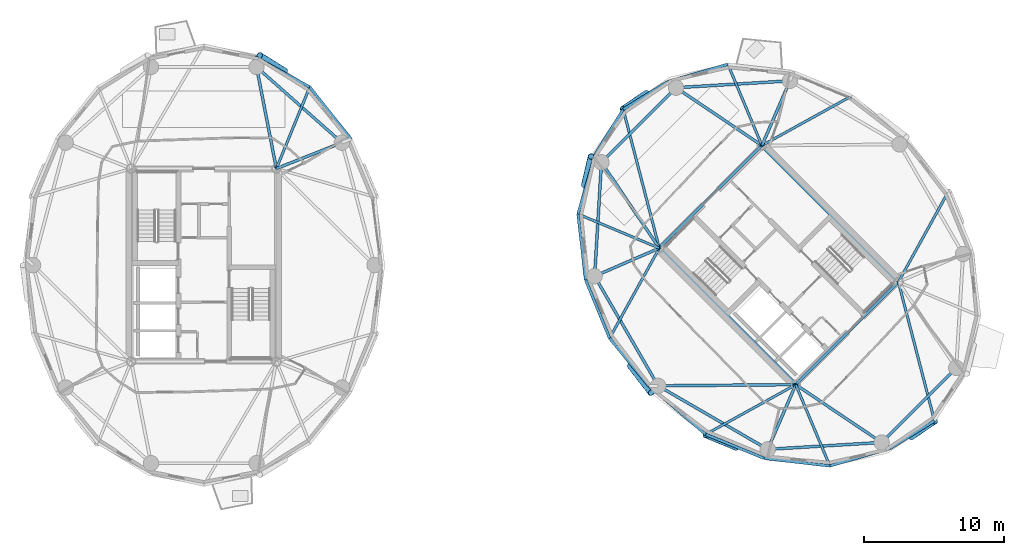
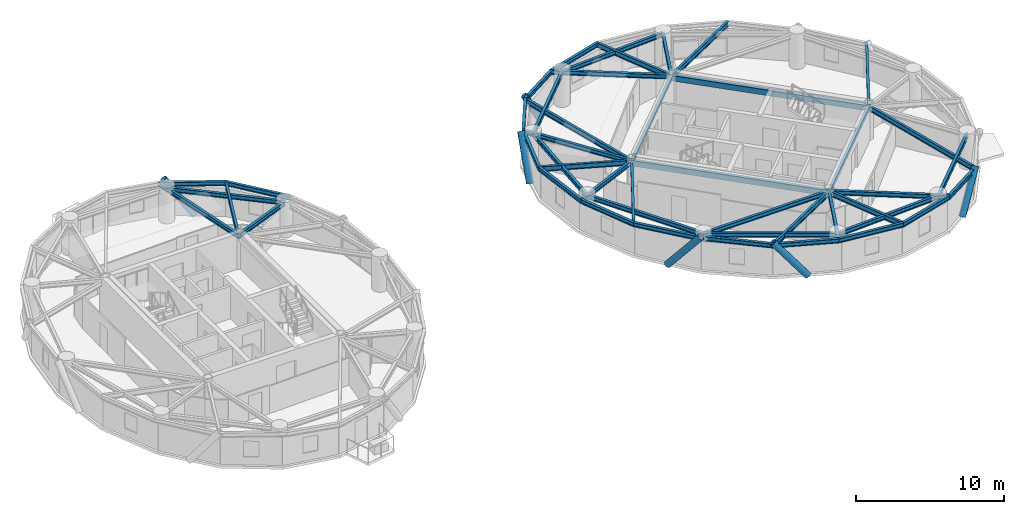
# One storey, part 4 of 15: 45 beams, 6 members.
"""IFC4 building model written with IfcOpenShell, lengths in metres."""

from ifc_helpers import new_model, si_unit, direction, frame, origin, origin_2d, place, context, subcontext, project, spatial, hollow_rectangle, hollow_circle, i_section, extrude, material, material_profile, profile_set, type_object, element, save


model = new_model("IFC4")

# Units and contexts
model_context = context("Model", 3, precision=1e-05, world=origin(), true_north=direction((0.0, 1.0)))
body_context = subcontext(model_context, "Body", "Model", "MODEL_VIEW")
ifc_project = project(units=[si_unit("LENGTHUNIT", "METRE"), si_unit("AREAUNIT", "SQUARE_METRE"), si_unit("VOLUMEUNIT", "CUBIC_METRE"), si_unit("PLANEANGLEUNIT", "RADIAN"), si_unit("MASSUNIT", "GRAM", prefix="KILO")], contexts=[model_context])

# Site, building, storey
site_placement = place(None, origin())
site = spatial("IfcSite", under=ifc_project, at=site_placement, CompositionType="ELEMENT")
building_placement = place(site_placement, origin())
building = spatial("IfcBuilding", under=site, at=building_placement, Name="Cununo Teusaquillo Station Towers", CompositionType="ELEMENT")
storey_placement = place(building_placement, frame((0.0, 0.0, 199.570068359375)))
storey = spatial("IfcBuildingStorey", under=building, at=storey_placement, Name="L63", CompositionType="ELEMENT", Elevation=199.570068359375)

# Beams
ifc_material_1 = material(Name="Steel EN 10025-2 S355J2", Category="steel")
ifc_material_profile_1 = material_profile(ifc_material_1, hollow_rectangle(XDim=0.25, YDim=0.449951171875, WallThickness=0.01611328125, at=origin_2d()), Name="RHS 450x250x16")
ifc_profile_set_1 = profile_set([ifc_material_profile_1], Name="Steel EN 10025-2 S355J2")
beam_type_1 = type_object("IfcBeamType", Name="BM-COUP-1", PredefinedType="USERDEFINED", material=ifc_profile_set_1)
for number, where, z_axis, x_axis, name in (
    (1, (58.70556640625, 15.975830078125, 2.474853515625), (-0.707106781187, 0.707106781187, 0.0), (-0.707106781187, -0.707106781187, 0.0), "L63 Tower B Core Beam 1"),
    (2, (66.024169921875, 23.29443359375, 2.474853515625), (-0.707106781187, 0.707106781187, 0.0), (-0.707106781187, -0.707106781187, 0.0), "L63 Tower B Core Beam 2"),
):
    element("IfcBeam", number, at=place(storey_placement, frame(where, z_axis=z_axis, x_axis=x_axis)), inside=storey, type_object=beam_type_1, Name=name, ObjectType="COUPLING BEAM", PredefinedType="USERDEFINED", context=body_context, shape_type="SweptSolid", body=[
        extrude(hollow_rectangle(XDim=0.25, YDim=0.449951171875, WallThickness=0.01611328125, at=origin_2d()), origin(), (0.0, 0.0, 1.0), 13.760009765625),
    ])
ifc_material_2 = material(Name="Steel ASTM A572 Grade 50", Category="steel")
ifc_material_profile_2 = material_profile(ifc_material_2, i_section(OverallWidth=0.180908203125, OverallDepth=0.4169921875, WebThickness=0.010986328125, FlangeThickness=0.018310546875, FilletRadius=0.012939453125, at=origin_2d()), Name="W16X57")
ifc_profile_set_2 = profile_set([ifc_material_profile_2], Name="Steel ASTM A572 Grade 50")
beam_type_2 = type_object("IfcBeamType", Name="BM-JOIST-1", PredefinedType="JOIST", material=ifc_profile_set_2)
beam_1_placement = place(storey_placement, frame((21.675048828125, 31.3798828125, 2.491455078125), z_axis=(0.378576847217, 0.925569862707, 0.0), x_axis=(-0.925569862707, 0.378576847217, 0.0)))
element("IfcBeam", 3, at=beam_1_placement, inside=storey, type_object=beam_type_2, Name="L63 Tower A Radial Spandrel Joist V03", PredefinedType="JOIST", context=body_context, shape_type="SweptSolid", body=[
    extrude(i_section(OverallWidth=0.180908203125, OverallDepth=0.4169921875, WebThickness=0.010986328125, FlangeThickness=0.018310546875, FilletRadius=0.012939453125, at=origin_2d()), origin(), (0.0, 0.0, 1.0), 6.28125),
])
beam_2_placement = place(storey_placement, frame((56.29443359375, 33.024169921875, 2.491455078125), z_axis=(0.8753153358, 0.483552544108, 0.0), x_axis=(-0.483552544108, 0.8753153358, 0.0)))
element("IfcBeam", 4, at=beam_2_placement, inside=storey, type_object=beam_type_2, Name="L63 Tower B Radial Spandrel Joist V01", PredefinedType="JOIST", context=body_context, shape_type="SweptSolid", body=[
    extrude(i_section(OverallWidth=0.180908203125, OverallDepth=0.4169921875, WebThickness=0.010986328125, FlangeThickness=0.018310546875, FilletRadius=0.012939453125, at=origin_2d()), origin(), (0.0, 0.0, 1.0), 7.3330078125),
])
beam_3_placement = place(storey_placement, frame((56.29443359375, 33.024169921875, 2.491455078125), z_axis=(-0.386786389381, 0.922169338565, 0.0), x_axis=(-0.922169338565, -0.386786389381, 0.0)))
element("IfcBeam", 5, at=beam_3_placement, inside=storey, type_object=beam_type_2, Name="L63 Tower B Radial Spandrel Joist V03", PredefinedType="JOIST", context=body_context, shape_type="SweptSolid", body=[
    extrude(i_section(OverallWidth=0.180908203125, OverallDepth=0.4169921875, WebThickness=0.010986328125, FlangeThickness=0.018310546875, FilletRadius=0.012939453125, at=origin_2d()), origin(), (0.0, 0.0, 1.0), 6.281005859375),
])
beam_4_placement = place(storey_placement, frame((48.975830078125, 25.70556640625, 2.491455078125), z_axis=(-0.251559992432, 0.967841707206, 0.0), x_axis=(-0.967841707206, -0.251559992432, 0.0)))
element("IfcBeam", 6, at=beam_4_placement, inside=storey, type_object=beam_type_2, Name="L63 Tower B Radial Spandrel Joist V05", PredefinedType="JOIST", context=body_context, shape_type="SweptSolid", body=[
    extrude(i_section(OverallWidth=0.180908203125, OverallDepth=0.4169921875, WebThickness=0.010986328125, FlangeThickness=0.018310546875, FilletRadius=0.012939453125, at=origin_2d()), origin(), (0.0, 0.0, 1.0), 10.217529296875),
])
beam_5_placement = place(storey_placement, frame((48.975830078125, 25.70556640625, 2.491455078125), z_axis=(-0.922169338565, 0.386786389381, 0.0), x_axis=(-0.386786389381, -0.922169338565, 0.0)))
element("IfcBeam", 7, at=beam_5_placement, inside=storey, type_object=beam_type_2, Name="L63 Tower B Radial Spandrel Joist V07", PredefinedType="JOIST", context=body_context, shape_type="SweptSolid", body=[
    extrude(i_section(OverallWidth=0.180908203125, OverallDepth=0.4169921875, WebThickness=0.010986328125, FlangeThickness=0.018310546875, FilletRadius=0.012939453125, at=origin_2d()), origin(), (0.0, 0.0, 1.0), 6.281005859375),
])
for number, where, z_axis, x_axis, name in (
    (8, (48.975830078125, 25.70556640625, 2.491455078125), (-0.483552544108, -0.8753153358, 0.0), (0.8753153358, -0.483552544108, 0.0), "L63 Tower B Radial Spandrel Joist V09"),
    (9, (58.70556640625, 15.975830078125, 2.491455078125), (-0.8753153358, -0.483552544108, 0.0), (0.483552544108, -0.8753153358, 0.0), "L63 Tower B Radial Spandrel Joist V11"),
):
    element("IfcBeam", number, at=place(storey_placement, frame(where, z_axis=z_axis, x_axis=x_axis)), inside=storey, type_object=beam_type_2, Name=name, PredefinedType="JOIST", context=body_context, shape_type="SweptSolid", body=[
        extrude(i_section(OverallWidth=0.180908203125, OverallDepth=0.4169921875, WebThickness=0.010986328125, FlangeThickness=0.018310546875, FilletRadius=0.012939453125, at=origin_2d()), origin(), (0.0, 0.0, 1.0), 7.3330078125),
    ])
beam_6_placement = place(storey_placement, frame((58.70556640625, 15.975830078125, 2.491455078125), z_axis=(0.386786389381, -0.922169338565, 0.0), x_axis=(0.922169338565, 0.386786389381, 0.0)))
element("IfcBeam", 10, at=beam_6_placement, inside=storey, type_object=beam_type_2, Name="L63 Tower B Radial Spandrel Joist V13", PredefinedType="JOIST", context=body_context, shape_type="SweptSolid", body=[
    extrude(i_section(OverallWidth=0.180908203125, OverallDepth=0.4169921875, WebThickness=0.010986328125, FlangeThickness=0.018310546875, FilletRadius=0.012939453125, at=origin_2d()), origin(), (0.0, 0.0, 1.0), 6.281005859375),
])
beam_7_placement = place(storey_placement, frame((66.024169921875, 23.29443359375, 2.491455078125), z_axis=(0.251559992432, -0.967841707206, 0.0), x_axis=(0.967841707206, 0.251559992432, 0.0)))
element("IfcBeam", 11, at=beam_7_placement, inside=storey, type_object=beam_type_2, Name="L63 Tower B Radial Spandrel Joist V15", PredefinedType="JOIST", context=body_context, shape_type="SweptSolid", body=[
    extrude(i_section(OverallWidth=0.180908203125, OverallDepth=0.4169921875, WebThickness=0.010986328125, FlangeThickness=0.018310546875, FilletRadius=0.012939453125, at=origin_2d()), origin(), (0.0, 0.0, 1.0), 10.217529296875),
])
beam_8_placement = place(storey_placement, frame((66.024169921875, 23.29443359375, 2.491455078125), z_axis=(0.483552544108, 0.8753153358, 0.0), x_axis=(-0.8753153358, 0.483552544108, 0.0)))
element("IfcBeam", 12, at=beam_8_placement, inside=storey, type_object=beam_type_2, Name="L63 Tower B Radial Spandrel Joist V19", PredefinedType="JOIST", context=body_context, shape_type="SweptSolid", body=[
    extrude(i_section(OverallWidth=0.180908203125, OverallDepth=0.4169921875, WebThickness=0.010986328125, FlangeThickness=0.018310546875, FilletRadius=0.012939453125, at=origin_2d()), origin(), (0.0, 0.0, 1.0), 7.3330078125),
])
ifc_material_3 = material(Name="Steel ASTM A572 Grade 50", Category="steel")
ifc_material_profile_3 = material_profile(ifc_material_3, i_section(OverallWidth=0.2041015625, OverallDepth=0.35009765625, WebThickness=0.008544921875, FlangeThickness=0.01513671875, FilletRadius=0.011962890625, at=origin_2d()), Name="W14X48")
ifc_profile_set_3 = profile_set([ifc_material_profile_3], Name="Steel ASTM A572 Grade 50")
beam_type_3 = type_object("IfcBeamType", Name="BM-LINTEL-1", PredefinedType="LINTEL", material=ifc_profile_set_3)
for number, where, z_axis, x_axis, name in (
    (13, (58.70556640625, 15.975830078125, 2.52490234375), (0.707106781187, 0.707106781187, 0.0), (-0.707106781187, 0.707106781187, 0.0), "L63 Tower B Core Beam 3"),
    (14, (48.975830078125, 25.70556640625, 2.52490234375), (0.707106781187, 0.707106781187, 0.0), (-0.707106781187, 0.707106781187, 0.0), "L63 Tower B Core Beam 4"),
):
    element("IfcBeam", number, at=place(storey_placement, frame(where, z_axis=z_axis, x_axis=x_axis)), inside=storey, type_object=beam_type_3, Name=name, PredefinedType="LINTEL", context=body_context, shape_type="SweptSolid", body=[
        extrude(i_section(OverallWidth=0.2041015625, OverallDepth=0.35009765625, WebThickness=0.008544921875, FlangeThickness=0.01513671875, FilletRadius=0.011962890625, at=origin_2d()), origin(), (0.0, 0.0, 1.0), 10.35009765625),
    ])
ifc_material_4 = material(Name="Steel ASTM A572 Grade 50", Category="steel")
ifc_material_profile_4 = material_profile(ifc_material_4, i_section(OverallWidth=0.2041015625, OverallDepth=0.35009765625, WebThickness=0.008544921875, FlangeThickness=0.01513671875, FilletRadius=0.011962890625, at=origin_2d()), Name="W14X48")
ifc_profile_set_4 = profile_set([ifc_material_profile_4], Name="Steel ASTM A572 Grade 50")
beam_type_4 = type_object("IfcBeamType", Name="BM-RAD-G3", PredefinedType="BEAM", material=ifc_profile_set_4)
beam_9_placement = place(storey_placement, frame((21.675048828125, 31.3798828125, 2.52490234375), z_axis=(0.929864104313, 0.367903176814, 0.0), x_axis=(-0.367903176814, 0.929864104313, 0.0)))
element("IfcBeam", 15, at=beam_9_placement, inside=storey, type_object=beam_type_4, Name="L63 Tower A Radial Girder 02A", PredefinedType="BEAM", context=body_context, shape_type="SweptSolid", body=[
    extrude(i_section(OverallWidth=0.2041015625, OverallDepth=0.35009765625, WebThickness=0.008544921875, FlangeThickness=0.01513671875, FilletRadius=0.011962890625, at=origin_2d()), origin(), (0.0, 0.0, 1.0), 5.02490234375),
])
beam_10_placement = place(storey_placement, frame((21.675048828125, 31.3798828125, 2.52490234375), z_axis=(-0.191548487699, 0.981483151593, 0.0), x_axis=(-0.981483151593, -0.191548487699, 0.0)))
element("IfcBeam", 16, at=beam_10_placement, inside=storey, type_object=beam_type_4, Name="L63 Tower A Continuous Overhanging Radial Girder 03", PredefinedType="BEAM", context=body_context, shape_type="SweptSolid", body=[
    extrude(i_section(OverallWidth=0.2041015625, OverallDepth=0.35009765625, WebThickness=0.008544921875, FlangeThickness=0.01513671875, FilletRadius=0.011962890625, at=origin_2d()), origin(), (0.0, 0.0, 1.0), 8.1240234375),
])
beam_11_placement = place(storey_placement, frame((56.29443359375, 33.024169921875, 2.52490234375), z_axis=(0.397346986387, 0.917668443616, 0.0), x_axis=(-0.917668443616, 0.397346986387, 0.0)))
element("IfcBeam", 17, at=beam_11_placement, inside=storey, type_object=beam_type_4, Name="L63 Tower B Radial Girder 02A", PredefinedType="BEAM", context=body_context, shape_type="SweptSolid", body=[
    extrude(i_section(OverallWidth=0.2041015625, OverallDepth=0.35009765625, WebThickness=0.008544921875, FlangeThickness=0.01513671875, FilletRadius=0.011962890625, at=origin_2d()), origin(), (0.0, 0.0, 1.0), 5.02490234375),
])
for number, where, z_axis, x_axis, name in (
    (18, (56.29443359375, 33.024169921875, 2.52490234375), (-0.829456817529, 0.558570844079, 0.0), (-0.558570844079, -0.829456817529, 0.0), "L63 Tower B Continuous Overhanging Radial Girder 03"),
    (19, (48.975830078125, 25.70556640625, 2.52490234375), (-0.558570844079, 0.829456817529, 0.0), (-0.829456817529, -0.558570844079, 0.0), "L63 Tower B Continuous Overhanging Radial Girder 04"),
):
    element("IfcBeam", number, at=place(storey_placement, frame(where, z_axis=z_axis, x_axis=x_axis)), inside=storey, type_object=beam_type_4, Name=name, PredefinedType="BEAM", context=body_context, shape_type="SweptSolid", body=[
        extrude(i_section(OverallWidth=0.2041015625, OverallDepth=0.35009765625, WebThickness=0.008544921875, FlangeThickness=0.01513671875, FilletRadius=0.011962890625, at=origin_2d()), origin(), (0.0, 0.0, 1.0), 8.1240234375),
    ])
beam_12_placement = place(storey_placement, frame((48.975830078125, 25.70556640625, 2.52490234375), z_axis=(-0.917665176837, -0.397354530893, 0.0), x_axis=(0.397354530893, -0.917665176837, 0.0)))
element("IfcBeam", 20, at=beam_12_placement, inside=storey, type_object=beam_type_4, Name="L63 Tower B Continuous Overhanging Radial Girder 05", PredefinedType="BEAM", context=body_context, shape_type="SweptSolid", body=[
    extrude(i_section(OverallWidth=0.2041015625, OverallDepth=0.35009765625, WebThickness=0.008544921875, FlangeThickness=0.01513671875, FilletRadius=0.011962890625, at=origin_2d()), origin(), (0.0, 0.0, 1.0), 5.716552734375),
])
beam_13_placement = place(storey_placement, frame((58.70556640625, 15.975830078125, 2.52490234375), z_axis=(-0.999964431382, -0.008434214327, 0.0), x_axis=(0.008434214327, -0.999964431382, 0.0)))
element("IfcBeam", 21, at=beam_13_placement, inside=storey, type_object=beam_type_4, Name="L63 Tower B Radial Girder 06A", PredefinedType="BEAM", context=body_context, shape_type="SweptSolid", body=[
    extrude(i_section(OverallWidth=0.2041015625, OverallDepth=0.35009765625, WebThickness=0.008544921875, FlangeThickness=0.01513671875, FilletRadius=0.011962890625, at=origin_2d()), origin(), (0.0, 0.0, 1.0), 9.812744140625),
])
beam_14_placement = place(storey_placement, frame((58.70556640625, 15.975830078125, 2.52490234375), z_axis=(-0.397354530893, -0.917665176837, 0.0), x_axis=(0.917665176837, -0.397354530893, 0.0)))
element("IfcBeam", 22, at=beam_14_placement, inside=storey, type_object=beam_type_4, Name="L63 Tower B Continuous Overhanging Radial Girder 07", PredefinedType="BEAM", context=body_context, shape_type="SweptSolid", body=[
    extrude(i_section(OverallWidth=0.2041015625, OverallDepth=0.35009765625, WebThickness=0.008544921875, FlangeThickness=0.01513671875, FilletRadius=0.011962890625, at=origin_2d()), origin(), (0.0, 0.0, 1.0), 5.716552734375),
])
beam_15_placement = place(storey_placement, frame((58.70556640625, 15.975830078125, 2.52490234375), z_axis=(0.829456817529, -0.558570844079, 0.0), x_axis=(0.558570844079, 0.829456817529, 0.0)))
element("IfcBeam", 23, at=beam_15_placement, inside=storey, type_object=beam_type_4, Name="L63 Tower B Continuous Overhanging Radial Girder 08", PredefinedType="BEAM", context=body_context, shape_type="SweptSolid", body=[
    extrude(i_section(OverallWidth=0.2041015625, OverallDepth=0.35009765625, WebThickness=0.008544921875, FlangeThickness=0.01513671875, FilletRadius=0.011962890625, at=origin_2d()), origin(), (0.0, 0.0, 1.0), 8.1240234375),
])
ifc_material_5 = material(Name="Steel ASTM A572 Grade 50", Category="steel")
ifc_material_profile_5 = material_profile(ifc_material_5, i_section(OverallWidth=0.2041015625, OverallDepth=0.35009765625, WebThickness=0.008544921875, FlangeThickness=0.01513671875, FilletRadius=0.011962890625, at=origin_2d()), Name="W14X48")
ifc_profile_set_5 = profile_set([ifc_material_profile_5], Name="Steel ASTM A572 Grade 50")
beam_type_5 = type_object("IfcBeamType", Name="BM-RING-Z4", PredefinedType="SPANDREL", material=ifc_profile_set_5)
beam_16_placement = place(storey_placement, frame((26.347412109375, 33.228515625, 2.52490234375), z_axis=(-0.74832120039, 0.66333655187, 0.0), x_axis=(-0.66333655187, -0.74832120039, 0.0)))
element("IfcBeam", 24, at=beam_16_placement, inside=storey, type_object=beam_type_5, Name="L63 Tower A Structural Column Ring Girder 02", PredefinedType="SPANDREL", context=body_context, shape_type="SweptSolid", body=[
    extrude(i_section(OverallWidth=0.2041015625, OverallDepth=0.35009765625, WebThickness=0.008544921875, FlangeThickness=0.01513671875, FilletRadius=0.011962890625, at=origin_2d()), origin(), (0.0, 0.0, 1.0), 8.1328125),
])
beam_17_placement = place(storey_placement, frame((26.990478515625, 33.483154296875, 2.52490234375), z_axis=(-0.620710872531, 0.784039547932, 0.0), x_axis=(-0.784039547932, -0.620710872531, 0.0)))
element("IfcBeam", 25, at=beam_17_placement, inside=storey, type_object=beam_type_5, Name="L63 Tower A Spandrel Ring Beam 03", PredefinedType="SPANDREL", context=body_context, shape_type="SweptSolid", body=[
    extrude(i_section(OverallWidth=0.2041015625, OverallDepth=0.35009765625, WebThickness=0.008544921875, FlangeThickness=0.01513671875, FilletRadius=0.011962890625, at=origin_2d()), origin(), (0.0, 0.0, 1.0), 4.732421875),
])
beam_18_placement = place(storey_placement, frame((24.052978515625, 37.193603515625, 2.52490234375), z_axis=(-0.876576300909, 0.481262910149, 0.0), x_axis=(-0.481262910149, -0.876576300909, 0.0)))
element("IfcBeam", 26, at=beam_18_placement, inside=storey, type_object=beam_type_5, Name="L63 Tower A Spandrel Ring Beam 04", PredefinedType="SPANDREL", context=body_context, shape_type="SweptSolid", body=[
    extrude(i_section(OverallWidth=0.2041015625, OverallDepth=0.35009765625, WebThickness=0.008544921875, FlangeThickness=0.01513671875, FilletRadius=0.011962890625, at=origin_2d()), origin(), (0.0, 0.0, 1.0), 4.488037109375),
])
beam_19_placement = place(storey_placement, frame((58.291015625, 37.63525390625, 2.52490234375), z_axis=(-0.998190567048, -0.06012979176, 0.0), x_axis=(0.06012979176, -0.998190567048, 0.0)))
element("IfcBeam", 27, at=beam_19_placement, inside=storey, type_object=beam_type_5, Name="L63 Tower B Structural Column Ring Girder 02", PredefinedType="SPANDREL", context=body_context, shape_type="SweptSolid", body=[
    extrude(i_section(OverallWidth=0.2041015625, OverallDepth=0.35009765625, WebThickness=0.008544921875, FlangeThickness=0.01513671875, FilletRadius=0.011962890625, at=origin_2d()), origin(), (0.0, 0.0, 1.0), 8.132568359375),
])
beam_20_placement = place(storey_placement, frame((50.173095703125, 37.146240234375, 2.52490234375), z_axis=(-0.707106781187, -0.707106781187, 0.0), x_axis=(0.707106781187, -0.707106781187, 0.0)))
element("IfcBeam", 28, at=beam_20_placement, inside=storey, type_object=beam_type_5, Name="L63 Tower B Structural Column Ring Girder 03", PredefinedType="SPANDREL", context=body_context, shape_type="SweptSolid", body=[
    extrude(i_section(OverallWidth=0.2041015625, OverallDepth=0.35009765625, WebThickness=0.008544921875, FlangeThickness=0.01513671875, FilletRadius=0.011962890625, at=origin_2d()), origin(), (0.0, 0.0, 1.0), 7.522705078125),
])
beam_21_placement = place(storey_placement, frame((44.853759765625, 31.826904296875, 2.52490234375), z_axis=(-0.06012979176, -0.998190567048, 0.0), x_axis=(0.998190567048, -0.06012979176, 0.0)))
element("IfcBeam", 29, at=beam_21_placement, inside=storey, type_object=beam_type_5, Name="L63 Tower B Structural Column Ring Girder 04", PredefinedType="SPANDREL", context=body_context, shape_type="SweptSolid", body=[
    extrude(i_section(OverallWidth=0.2041015625, OverallDepth=0.35009765625, WebThickness=0.008544921875, FlangeThickness=0.01513671875, FilletRadius=0.011962890625, at=origin_2d()), origin(), (0.0, 0.0, 1.0), 8.132568359375),
])
for number, where, z_axis, x_axis, name in (
    (30, (44.36474609375, 23.708984375, 2.52490234375), (0.501311121078, -0.865267103202, 0.0), (0.865267103202, 0.501311121078, 0.0), "L63 Tower B Structural Column Ring Girder 05"),
    (31, (48.89306640625, 15.89306640625, 2.52490234375), (0.865267103202, -0.501311121078, 0.0), (0.501311121078, 0.865267103202, 0.0), "L63 Tower B Structural Column Ring Girder 06"),
):
    element("IfcBeam", number, at=place(storey_placement, frame(where, z_axis=z_axis, x_axis=x_axis)), inside=storey, type_object=beam_type_5, Name=name, PredefinedType="SPANDREL", context=body_context, shape_type="SweptSolid", body=[
        extrude(i_section(OverallWidth=0.2041015625, OverallDepth=0.35009765625, WebThickness=0.008544921875, FlangeThickness=0.01513671875, FilletRadius=0.011962890625, at=origin_2d()), origin(), (0.0, 0.0, 1.0), 9.032958984375),
    ])
beam_22_placement = place(storey_placement, frame((56.708984375, 11.36474609375, 2.52490234375), z_axis=(0.998190567048, 0.06012979176, 0.0), x_axis=(-0.06012979176, 0.998190567048, 0.0)))
element("IfcBeam", 32, at=beam_22_placement, inside=storey, type_object=beam_type_5, Name="L63 Tower B Structural Column Ring Girder 07", PredefinedType="SPANDREL", context=body_context, shape_type="SweptSolid", body=[
    extrude(i_section(OverallWidth=0.2041015625, OverallDepth=0.35009765625, WebThickness=0.008544921875, FlangeThickness=0.01513671875, FilletRadius=0.011962890625, at=origin_2d()), origin(), (0.0, 0.0, 1.0), 8.132568359375),
])
beam_23_placement = place(storey_placement, frame((64.826904296875, 11.853759765625, 2.52490234375), z_axis=(0.707106781187, 0.707106781187, 0.0), x_axis=(-0.707106781187, 0.707106781187, 0.0)))
element("IfcBeam", 33, at=beam_23_placement, inside=storey, type_object=beam_type_5, Name="L63 Tower B Structural Column Ring Girder 08", PredefinedType="SPANDREL", context=body_context, shape_type="SweptSolid", body=[
    extrude(i_section(OverallWidth=0.2041015625, OverallDepth=0.35009765625, WebThickness=0.008544921875, FlangeThickness=0.01513671875, FilletRadius=0.011962890625, at=origin_2d()), origin(), (0.0, 0.0, 1.0), 7.522705078125),
])
beam_24_placement = place(storey_placement, frame((53.864990234375, 38.81640625, 2.52490234375), z_axis=(-0.96014487762, -0.279502797802, 0.0), x_axis=(0.279502797802, -0.96014487762, 0.0)))
element("IfcBeam", 34, at=beam_24_placement, inside=storey, type_object=beam_type_5, Name="L63 Tower B Spandrel Ring Beam 04", PredefinedType="SPANDREL", context=body_context, shape_type="SweptSolid", body=[
    extrude(i_section(OverallWidth=0.2041015625, OverallDepth=0.35009765625, WebThickness=0.008544921875, FlangeThickness=0.01513671875, FilletRadius=0.011962890625, at=origin_2d()), origin(), (0.0, 0.0, 1.0), 4.488037109375),
])
for number, where, z_axis, x_axis, name in (
    (35, (49.555908203125, 37.56201171875, 2.52490234375), (-0.848175505099, -0.529715312739, 0.0), (0.529715312739, -0.848175505099, 0.0), "L63 Tower B Spandrel Ring Beam 05"),
    (36, (46.405517578125, 35.594482421875, 2.52490234375), (-0.529715312739, -0.848175505099, 0.0), (0.848175505099, -0.529715312739, 0.0), "L63 Tower B Spandrel Ring Beam 06"),
):
    element("IfcBeam", number, at=place(storey_placement, frame(where, z_axis=z_axis, x_axis=x_axis)), inside=storey, type_object=beam_type_5, Name=name, PredefinedType="SPANDREL", context=body_context, shape_type="SweptSolid", body=[
        extrude(i_section(OverallWidth=0.2041015625, OverallDepth=0.35009765625, WebThickness=0.008544921875, FlangeThickness=0.01513671875, FilletRadius=0.011962890625, at=origin_2d()), origin(), (0.0, 0.0, 1.0), 3.71435546875),
    ])
beam_25_placement = place(storey_placement, frame((44.43798828125, 32.444091796875, 2.52490234375), z_axis=(-0.279502797802, -0.96014487762, 0.0), x_axis=(0.96014487762, -0.279502797802, 0.0)))
element("IfcBeam", 37, at=beam_25_placement, inside=storey, type_object=beam_type_5, Name="L63 Tower B Spandrel Ring Beam 07", PredefinedType="SPANDREL", context=body_context, shape_type="SweptSolid", body=[
    extrude(i_section(OverallWidth=0.2041015625, OverallDepth=0.35009765625, WebThickness=0.008544921875, FlangeThickness=0.01513671875, FilletRadius=0.011962890625, at=origin_2d()), origin(), (0.0, 0.0, 1.0), 4.488037109375),
])
beam_26_placement = place(storey_placement, frame((43.18359375, 28.135009765625, 2.52490234375), z_axis=(0.115452326356, -0.993313022334, 0.0), x_axis=(0.993313022334, 0.115452326356, 0.0)))
element("IfcBeam", 38, at=beam_26_placement, inside=storey, type_object=beam_type_5, Name="L63 Tower B Spandrel Ring Beam 08", PredefinedType="SPANDREL", context=body_context, shape_type="SweptSolid", body=[
    extrude(i_section(OverallWidth=0.2041015625, OverallDepth=0.35009765625, WebThickness=0.008544921875, FlangeThickness=0.01513671875, FilletRadius=0.011962890625, at=origin_2d()), origin(), (0.0, 0.0, 1.0), 4.732666015625),
])
beam_27_placement = place(storey_placement, frame((43.72998046875, 23.43408203125, 2.52490234375), z_axis=(0.379275405388, -0.925283830437, 0.0), x_axis=(0.925283830437, 0.379275405388, 0.0)))
element("IfcBeam", 39, at=beam_27_placement, inside=storey, type_object=beam_type_5, Name="L63 Tower B Spandrel Ring Beam 09", PredefinedType="SPANDREL", context=body_context, shape_type="SweptSolid", body=[
    extrude(i_section(OverallWidth=0.2041015625, OverallDepth=0.35009765625, WebThickness=0.008544921875, FlangeThickness=0.01513671875, FilletRadius=0.011962890625, at=origin_2d()), origin(), (0.0, 0.0, 1.0), 4.482177734375),
])
beam_28_placement = place(storey_placement, frame((45.429931640625, 19.286865234375, 2.52490234375), z_axis=(0.637524682095, -0.770429931739, 0.0), x_axis=(0.770429931739, 0.637524682095, 0.0)))
element("IfcBeam", 40, at=beam_28_placement, inside=storey, type_object=beam_type_5, Name="L63 Tower B Spandrel Ring Beam 10", PredefinedType="SPANDREL", context=body_context, shape_type="SweptSolid", body=[
    extrude(i_section(OverallWidth=0.2041015625, OverallDepth=0.35009765625, WebThickness=0.008544921875, FlangeThickness=0.01513671875, FilletRadius=0.011962890625, at=origin_2d()), origin(), (0.0, 0.0, 1.0), 4.412353515625),
])
beam_29_placement = place(storey_placement, frame((48.242919921875, 15.887451171875, 2.52490234375), z_axis=(0.760065778291, -0.649846145385, 0.0), x_axis=(0.649846145385, 0.760065778291, 0.0)))
element("IfcBeam", 41, at=beam_29_placement, inside=storey, type_object=beam_type_5, Name="L63 Tower B Spandrel Ring Beam 11", PredefinedType="SPANDREL", context=body_context, shape_type="SweptSolid", body=[
    extrude(i_section(OverallWidth=0.2041015625, OverallDepth=0.35009765625, WebThickness=0.008544921875, FlangeThickness=0.01513671875, FilletRadius=0.011962890625, at=origin_2d()), origin(), (0.0, 0.0, 1.0), 5.320556640625),
])
beam_30_placement = place(storey_placement, frame((52.286865234375, 12.429931640625, 2.52490234375), z_axis=(0.925283830437, -0.379275405388, 0.0), x_axis=(0.379275405388, 0.925283830437, 0.0)))
element("IfcBeam", 42, at=beam_30_placement, inside=storey, type_object=beam_type_5, Name="L63 Tower B Spandrel Ring Beam 12", PredefinedType="SPANDREL", context=body_context, shape_type="SweptSolid", body=[
    extrude(i_section(OverallWidth=0.2041015625, OverallDepth=0.35009765625, WebThickness=0.008544921875, FlangeThickness=0.01513671875, FilletRadius=0.011962890625, at=origin_2d()), origin(), (0.0, 0.0, 1.0), 4.482177734375),
])
beam_31_placement = place(storey_placement, frame((56.43408203125, 10.72998046875, 2.52490234375), z_axis=(0.993313022334, -0.115452326356, 0.0), x_axis=(0.115452326356, 0.993313022334, 0.0)))
element("IfcBeam", 43, at=beam_31_placement, inside=storey, type_object=beam_type_5, Name="L63 Tower B Spandrel Ring Beam 13", PredefinedType="SPANDREL", context=body_context, shape_type="SweptSolid", body=[
    extrude(i_section(OverallWidth=0.2041015625, OverallDepth=0.35009765625, WebThickness=0.008544921875, FlangeThickness=0.01513671875, FilletRadius=0.011962890625, at=origin_2d()), origin(), (0.0, 0.0, 1.0), 4.732666015625),
])
beam_32_placement = place(storey_placement, frame((61.135009765625, 10.18359375, 2.52490234375), z_axis=(0.96014487762, 0.279502797802, 0.0), x_axis=(-0.279502797802, 0.96014487762, 0.0)))
element("IfcBeam", 44, at=beam_32_placement, inside=storey, type_object=beam_type_5, Name="L63 Tower B Spandrel Ring Beam 14", PredefinedType="SPANDREL", context=body_context, shape_type="SweptSolid", body=[
    extrude(i_section(OverallWidth=0.2041015625, OverallDepth=0.35009765625, WebThickness=0.008544921875, FlangeThickness=0.01513671875, FilletRadius=0.011962890625, at=origin_2d()), origin(), (0.0, 0.0, 1.0), 4.488037109375),
])
beam_33_placement = place(storey_placement, frame((65.444091796875, 11.43798828125, 2.52490234375), z_axis=(0.848175505099, 0.529715312739, 0.0), x_axis=(-0.529715312739, 0.848175505099, 0.0)))
element("IfcBeam", 45, at=beam_33_placement, inside=storey, type_object=beam_type_5, Name="L63 Tower B Spandrel Ring Beam 15", PredefinedType="SPANDREL", context=body_context, shape_type="SweptSolid", body=[
    extrude(i_section(OverallWidth=0.2041015625, OverallDepth=0.35009765625, WebThickness=0.008544921875, FlangeThickness=0.01513671875, FilletRadius=0.011962890625, at=origin_2d()), origin(), (0.0, 0.0, 1.0), 3.71435546875),
])

# Members
ifc_material_6 = material(Name="Steel EN 10025-2 S355J2", Category="steel")
ifc_material_profile_6 = material_profile(ifc_material_6, hollow_circle(Radius=0.25390625, WallThickness=0.01806640625, at=origin_2d()), Name="CHS 508x18")
ifc_profile_set_6 = profile_set([ifc_material_profile_6], Name="Steel EN 10025-2 S355J2")
member_type = type_object("IfcMemberType", Name="MBR-DIAG-Z4", PredefinedType="BRACE", material=ifc_profile_set_6)
member_1_placement = place(storey_placement, frame((22.261962890625, 38.307861328125, -0.14013671875), z_axis=(-0.49830633528, 0.310015010117, 0.809679868666), x_axis=(-0.528249968439, -0.849088906325, 0.0)))
element("IfcMember", 46, at=member_1_placement, inside=storey, type_object=member_type, Name="L63 Tower A Folded-Zigzag Diagrid Tube C03", PredefinedType="BRACE", context=body_context, shape_type="SweptSolid", body=[
    extrude(hollow_circle(Radius=0.25390625, WallThickness=0.01806640625, at=origin_2d()), origin(), (0.0, 0.0, 1.0), 3.59423828125),
])
member_2_placement = place(storey_placement, frame((48.080810546875, 36.72705078125, -0.14013671875), z_axis=(-0.472742744105, -0.319593936156, 0.821202784864), x_axis=(0.560065734295, -0.828448171746, 0.0)))
element("IfcMember", 47, at=member_2_placement, inside=storey, type_object=member_type, Name="L63 Tower B Folded-Zigzag Diagrid Tube C04", PredefinedType="BRACE", context=body_context, shape_type="SweptSolid", body=[
    extrude(hollow_circle(Radius=0.25390625, WallThickness=0.01806640625, at=origin_2d()), origin(), (0.0, 0.0, 1.0), 3.543701171875),
])
member_3_placement = place(storey_placement, frame((43.662109375, 30.189208984375, -0.14013671875), z_axis=(0.133133181776, 0.571589655429, 0.809667105492), x_axis=(-0.973930772574, 0.226845432471, 0.0)))
element("IfcMember", 48, at=member_3_placement, inside=storey, type_object=member_type, Name="L63 Tower B Folded-Zigzag Diagrid Tube C06", PredefinedType="BRACE", context=body_context, shape_type="SweptSolid", body=[
    extrude(hollow_circle(Radius=0.25390625, WallThickness=0.01806640625, at=origin_2d()), origin(), (0.0, 0.0, 1.0), 3.59423828125),
])
member_4_placement = place(storey_placement, frame((46.921875, 17.35009765625, -0.14013671875), z_axis=(0.392561192796, -0.509475179196, 0.765722372465), x_axis=(0.792129910102, 0.610352525613, 0.0)))
element("IfcMember", 49, at=member_4_placement, inside=storey, type_object=member_type, Name="L63 Tower B Folded-Zigzag Diagrid Tube C09", PredefinedType="BRACE", context=body_context, shape_type="SweptSolid", body=[
    extrude(hollow_circle(Radius=0.25390625, WallThickness=0.01806640625, at=origin_2d()), origin(), (0.0, 0.0, 1.0), 3.800537109375),
])
member_5_placement = place(storey_placement, frame((54.478515625, 11.52880859375, -0.14013671875), z_axis=(-0.583986306041, 0.240112894686, 0.775439096359), x_axis=(-0.380273025704, -0.924874275738, 0.0)))
element("IfcMember", 50, at=member_5_placement, inside=storey, type_object=member_type, Name="L63 Tower B Folded-Zigzag Diagrid Tube C11", PredefinedType="BRACE", context=body_context, shape_type="SweptSolid", body=[
    extrude(hollow_circle(Radius=0.25390625, WallThickness=0.01806640625, at=origin_2d()), origin(), (0.0, 0.0, 1.0), 3.7529296875),
])
member_6_placement = place(storey_placement, frame((66.919189453125, 12.27294921875, -0.14013671875), z_axis=(0.472742744105, 0.319593936156, 0.821202784864), x_axis=(-0.560065734295, 0.828448171746, 0.0)))
element("IfcMember", 51, at=member_6_placement, inside=storey, type_object=member_type, Name="L63 Tower B Folded-Zigzag Diagrid Tube C14", PredefinedType="BRACE", context=body_context, shape_type="SweptSolid", body=[
    extrude(hollow_circle(Radius=0.25390625, WallThickness=0.01806640625, at=origin_2d()), origin(), (0.0, 0.0, 1.0), 3.543701171875),
])

save(model, "model.ifc")
